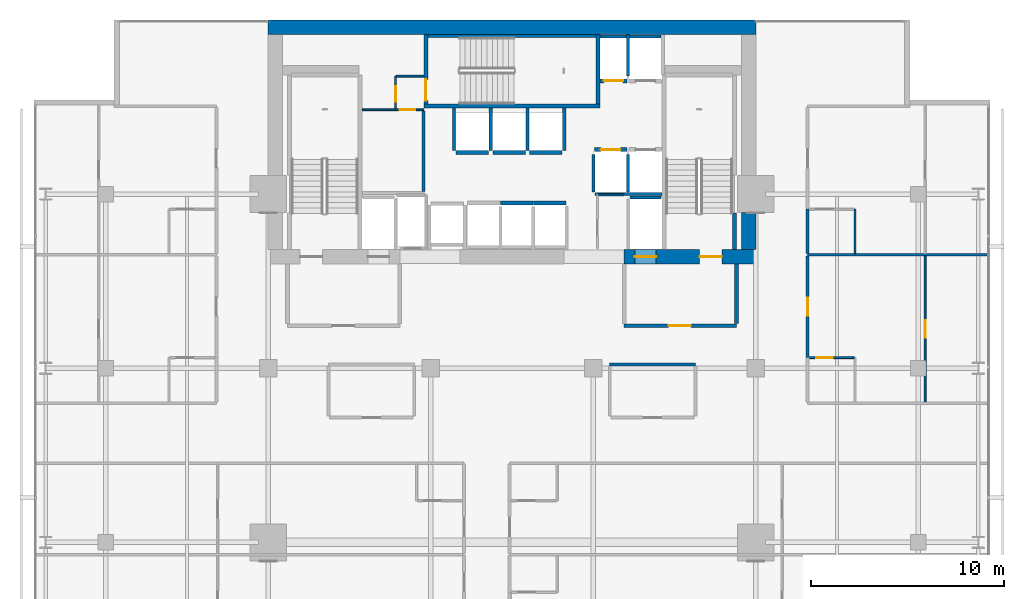
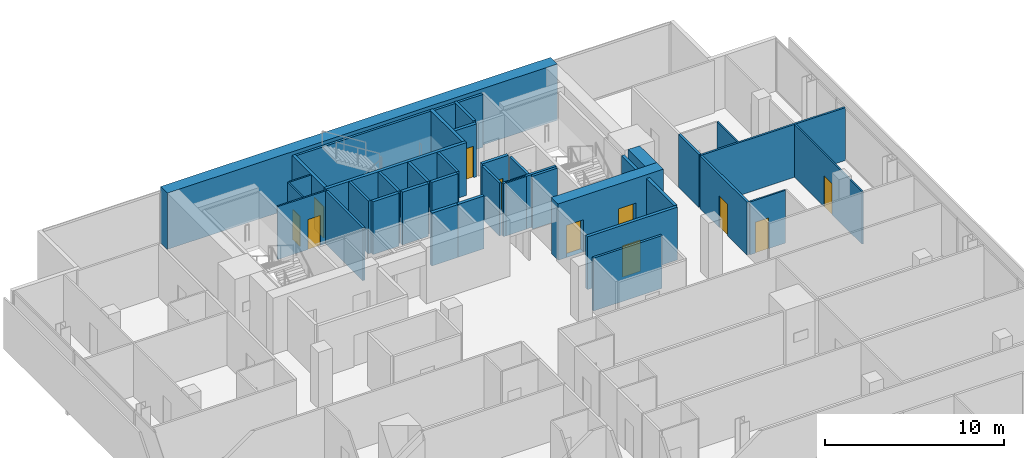
# One storey, part 30 of 33: 39 walls, 11 doors, 11 openings.
"""IFC4 building model written with IfcOpenShell, lengths in metres."""

from ifc_helpers import new_model, si_unit, direction, frame, frame_2d, origin, place, context, subcontext, project, spatial, rectangle, extrude, material, layer, layer_set, type_object, element, fill, save


model = new_model("IFC4")

# Units and contexts
model_context = context("Model", 3, precision=1e-05, world=origin(), true_north=direction((0.0, 1.0)))
body_context = subcontext(model_context, "Body", "Model", "MODEL_VIEW")
ifc_project = project(units=[si_unit("LENGTHUNIT", "METRE"), si_unit("AREAUNIT", "SQUARE_METRE"), si_unit("VOLUMEUNIT", "CUBIC_METRE"), si_unit("PLANEANGLEUNIT", "RADIAN"), si_unit("MASSUNIT", "GRAM", prefix="KILO")], contexts=[model_context])

# Site, building, storey
site_placement = place(None, origin())
site = spatial("IfcSite", under=ifc_project, at=site_placement, CompositionType="ELEMENT")
building_placement = place(site_placement, origin())
building = spatial("IfcBuilding", under=site, at=building_placement, Name="Maruvema Waterfront Hotel and Observation Tower", CompositionType="ELEMENT")
storey_placement = place(building_placement, frame((0.0, 0.0, 142.800048828125)))
storey = spatial("IfcBuildingStorey", under=building, at=storey_placement, Name="L34", CompositionType="ELEMENT", Elevation=142.800048828125)

# Walls
ifc_material_1 = material(Name="Twin-stud acoustic gypsum drywall", Category="gypsum")
ifc_layer_1 = layer(ifc_material_1, 0.14990234375, Name="Acoustic Corridor and Suite Demising Wall 150 mm")
ifc_layer_set_1 = layer_set([ifc_layer_1], Name="Twin-stud acoustic gypsum drywall")
wall_type_1 = type_object("IfcWallType", Name="Acoustic Corridor and Suite Demising Wall 150 mm", PredefinedType="PARTITIONING", material=ifc_layer_set_1)
wall_1_placement = place(storey_placement, frame((33.219970703125, 45.139892578125, 0.0), z_axis=(0.0, 0.0, 1.0), x_axis=(0.0, 1.0, 0.0)))
element("IfcWall", 1, at=wall_1_placement, inside=storey, type_object=wall_type_1, Name="L34 Freed B1 East Wall 013", PredefinedType="PARTITIONING", context=body_context, shape_type="SweptSolid", body=[
    extrude(rectangle(XDim=4.16015625, YDim=0.14990234375, at=frame_2d((2.080078125, 0.0))), origin(), (0.0, 0.0, 1.0), 3.60986328125),
])
wall_2_placement = place(storey_placement, frame((42.85009765625, 36.199951171875, 0.0), z_axis=(0.0, 0.0, 1.0), x_axis=(1.0, 0.0, 0.0)))
element("IfcWall", 2, at=wall_2_placement, inside=storey, type_object=wall_type_1, Name="L34 L34-M2 Back Wall 021", PredefinedType="PARTITIONING", context=body_context, shape_type="SweptSolid", body=[
    extrude(rectangle(XDim=4.429931640625, YDim=0.14990234375, at=frame_2d((2.21484375, 0.0))), origin(), (0.0, 0.0, 1.0), 3.60986328125),
])

# Wall, opening, door
wall_3_placement = place(storey_placement, frame((53.080078125, 36.550048828125, 0.0), z_axis=(0.0, 0.0, 1.0), x_axis=(0.0, 1.0, 0.0)))
wall_3 = element("IfcWall", 3, at=wall_3_placement, inside=storey, type_object=wall_type_1, Name="L34 Room L34-NE1 Corridor Wall 102", PredefinedType="PARTITIONING", context=body_context, shape_type="SweptSolid", body=[
    extrude(rectangle(XDim=5.2587890625, YDim=0.14990234375, at=frame_2d((2.62939453125, 0.0))), origin(), (0.0, 0.0, 1.0), 3.60986328125),
])
opening_1_placement = place(wall_3_placement, frame((2.154296875, 0.0, 0.0)))
opening_1 = element("IfcOpeningElement", 4, at=opening_1_placement, cuts=wall_3, Name="Opening DR-095", PredefinedType="OPENING", context=body_context, shape_type="SweptSolid", body=[
    extrude(rectangle(XDim=0.949951171875, YDim=2.14990234375, at=frame_2d((0.47509765625, 1.074951171875))), frame((0.0, 0.0849609375, 0.0), z_axis=(0.0, -1.0, 0.0), x_axis=(1.0, 0.0, 0.0)), (0.0, 0.0, 1.0), 0.169921875),
])
ifc_material_2 = material(Name="Acoustic solid-core hardwood timber leaf", Category="wood")
door_type_1 = type_object("IfcDoorType", Name="Guestroom Entrance Fire Door 950x2150 mm", OperationType="NOTDEFINED", PredefinedType="DOOR", material=ifc_material_2)
door_1_placement = place(opening_1_placement, frame((0.949951171875, 0.0, 0.0), z_axis=(0.0, 0.0, 1.0), x_axis=(-1.0, 0.0, 0.0)))
door_1 = element("IfcDoor", 5, at=door_1_placement, inside=storey, type_object=door_type_1, Name="L34 Room L34-NE1 Entrance Door", OperationType="SINGLE_SWING_RIGHT", OverallHeight=2.14990234375, OverallWidth=0.949951171875, PredefinedType="DOOR", context=body_context, shape_type="SweptSolid", body=[
    extrude(rectangle(XDim=0.949951171875, YDim=2.14990234375, at=frame_2d((0.47509765625, 1.074951171875))), frame((0.0, 0.02490234375, 0.0), z_axis=(0.0, -1.0, 0.0), x_axis=(1.0, 0.0, 0.0)), (0.0, 0.0, 1.0), 0.050048828125),
])
fill(opening_1, door_1)

# Walls
wall_4_placement = place(storey_placement, frame((53.080078125, 41.9287109375, 0.0), z_axis=(0.0, 0.0, 1.0), x_axis=(0.0, 1.0, 0.0)))
element("IfcWall", 6, at=wall_4_placement, inside=storey, type_object=wall_type_1, Name="L34 Bath L34-NE2 Wall 113", PredefinedType="PARTITIONING", context=body_context, shape_type="SweptSolid", body=[
    extrude(rectangle(XDim=2.2900390625, YDim=0.14990234375, at=frame_2d((1.14501953125, 0.0))), origin(), (0.0, 0.0, 1.0), 3.60986328125),
])
ifc_material_3 = material(Name="Precast concrete C45/55", Category="concrete")
ifc_layer_2 = layer(ifc_material_3, 0.14990234375, Name="Core Shaft Furring Wall 150 mm")
ifc_layer_set_2 = layer_set([ifc_layer_2], Name="Precast concrete C45/55")
wall_type_2 = type_object("IfcWallType", Name="Core Shaft Furring Wall 150 mm", PredefinedType="SOLIDWALL", material=ifc_layer_set_2)
wall_5_placement = place(storey_placement, frame((33.449951171875, 53.175048828125, 0.0), z_axis=(0.0, 0.0, 1.0), x_axis=(1.0, 0.0, 0.0)))
element("IfcWall", 7, at=wall_5_placement, inside=storey, type_object=wall_type_2, Name="L34 Stairwell ST-02 North Furring Wall", PredefinedType="SOLIDWALL", context=body_context, shape_type="SweptSolid", body=[
    extrude(rectangle(XDim=8.699951171875, YDim=0.14990234375, at=frame_2d((4.35009765625, 0.0))), origin(), (0.0, 0.0, 1.0), 3.60986328125),
])
ifc_material_4 = material(Name="Precast concrete C45/55", Category="concrete")
ifc_layer_3 = layer(ifc_material_4, 0.199951171875, Name="Core Shaft and Stairwell Enclosure Wall 200 mm")
ifc_layer_set_3 = layer_set([ifc_layer_3], Name="Precast concrete C45/55")
wall_type_3 = type_object("IfcWallType", Name="Core Shaft and Stairwell Enclosure Wall 200 mm", PredefinedType="SOLIDWALL", material=ifc_layer_set_3)
wall_6_placement = place(storey_placement, frame((33.25, 49.550048828125, 0.0), z_axis=(0.0, 0.0, 1.0), x_axis=(1.0, 0.0, 0.0)))
element("IfcWall", 8, at=wall_6_placement, inside=storey, type_object=wall_type_3, Name="L34 Stairwell ST-02 Shaft Wall", PredefinedType="SOLIDWALL", context=body_context, shape_type="SweptSolid", body=[
    extrude(rectangle(XDim=9.10009765625, YDim=0.199951171875, at=frame_2d((4.550048828125, 0.0))), origin(), (0.0, 0.0, 1.0), 3.60986328125),
])
wall_7_placement = place(storey_placement, frame((42.25, 49.64990234375, 0.0), z_axis=(0.0, 0.0, 1.0), x_axis=(0.0, 1.0, 0.0)))
element("IfcWall", 9, at=wall_7_placement, inside=storey, type_object=wall_type_3, Name="L34 Stairwell ST-02 Shaft Wall", PredefinedType="SOLIDWALL", context=body_context, shape_type="SweptSolid", body=[
    extrude(rectangle(XDim=3.60009765625, YDim=0.199951171875, at=frame_2d((1.800048828125, 0.0))), origin(), (0.0, 0.0, 1.0), 3.60986328125),
])

# Wall, opening, door
wall_8_placement = place(storey_placement, frame((33.35009765625, 49.64990234375, 0.0), z_axis=(0.0, 0.0, 1.0), x_axis=(0.0, 1.0, 0.0)))
wall_8 = element("IfcWall", 10, at=wall_8_placement, inside=storey, type_object=wall_type_3, Name="L34 Stairwell ST-02 Shaft Wall", PredefinedType="SOLIDWALL", context=body_context, shape_type="SweptSolid", body=[
    extrude(rectangle(XDim=3.60009765625, YDim=0.199951171875, at=frame_2d((1.800048828125, 0.0))), origin(), (0.0, 0.0, 1.0), 3.60986328125),
])
opening_2_placement = place(wall_8_placement, frame((0.179931640625, 0.0, 0.0)))
opening_2 = element("IfcOpeningElement", 11, at=opening_2_placement, cuts=wall_8, Name="Opening SD-02", PredefinedType="OPENING", context=body_context, shape_type="SweptSolid", body=[
    extrude(rectangle(XDim=1.10009765625, YDim=2.14990234375, at=frame_2d((0.550048828125, 1.074951171875))), frame((0.0, 0.10986328125, 0.0), z_axis=(0.0, -1.0, 0.0), x_axis=(1.0, 0.0, 0.0)), (0.0, 0.0, 1.0), 0.219970703125),
])
ifc_material_5 = material(Name="Fire-rated galvanised steel leaf", Category="steel")
door_type_2 = type_object("IfcDoorType", Name="Central Exit Stair Fire Door 1100x2150 mm", OperationType="NOTDEFINED", PredefinedType="DOOR", material=ifc_material_5)
door_2_placement = place(opening_2_placement, frame((1.10009765625, 0.0, 0.0), z_axis=(0.0, 0.0, 1.0), x_axis=(-1.0, 0.0, 0.0)))
door_2 = element("IfcDoor", 12, at=door_2_placement, inside=storey, type_object=door_type_2, Name="L34 Exit Stair ST-02 Fire Door", OperationType="SINGLE_SWING_LEFT", OverallHeight=2.14990234375, OverallWidth=1.10009765625, PredefinedType="DOOR", context=body_context, shape_type="SweptSolid", body=[
    extrude(rectangle(XDim=1.10009765625, YDim=2.14990234375, at=frame_2d((0.550048828125, 1.074951171875))), frame((0.0, 0.02490234375, 0.0), z_axis=(0.0, -1.0, 0.0), x_axis=(1.0, 0.0, 0.0)), (0.0, 0.0, 1.0), 0.050048828125),
])
fill(opening_2, door_2)

# Wall
wall_9_placement = place(storey_placement, frame((49.300048828125, 42.14990234375, 0.0), z_axis=(0.0, 0.0, 1.0), x_axis=(0.0, 1.0, 0.0)))
element("IfcWall", 13, at=wall_9_placement, inside=storey, type_object=wall_type_3, Name="L34 Stairwell ST-03 Shaft Lining Wall", PredefinedType="SOLIDWALL", context=body_context, shape_type="SweptSolid", body=[
    extrude(rectangle(XDim=1.8701171875, YDim=0.199951171875, at=frame_2d((0.93505859375, 0.0))), origin(), (0.0, 0.0, 1.0), 3.60986328125),
])

# Wall, opening, door
wall_10_placement = place(storey_placement, frame((42.06005859375, 47.300048828125, 0.0), z_axis=(0.0, 0.0, 1.0), x_axis=(1.0, 0.0, 0.0)))
wall_10 = element("IfcWall", 14, at=wall_10_placement, inside=storey, type_object=wall_type_3, Name="L34 Lift LF-05 Hoistway Front Wall", PredefinedType="SOLIDWALL", context=body_context, shape_type="SweptSolid", body=[
    extrude(rectangle(XDim=1.679931640625, YDim=0.199951171875, at=frame_2d((0.83984375, 0.0))), origin(), (0.0, 0.0, 1.0), 3.60986328125),
])
opening_3_placement = place(wall_10_placement, frame((0.340087890625, 0.0, 0.0)))
opening_3 = element("IfcOpeningElement", 15, at=opening_3_placement, cuts=wall_10, Name="Opening LD-01", PredefinedType="OPENING", context=body_context, shape_type="SweptSolid", body=[
    extrude(rectangle(XDim=1.0, YDim=2.14990234375, at=frame_2d((0.5, 1.074951171875))), frame((0.0, 0.10986328125, 0.0), z_axis=(0.0, -1.0, 0.0), x_axis=(1.0, 0.0, 0.0)), (0.0, 0.0, 1.0), 0.219970703125),
])
ifc_material_6 = material(Name="Brushed stainless steel Grade 316", Category="steel")
door_type_3 = type_object("IfcDoorType", Name="Passenger Lift Sliding Landing Door 1000x2150 mm", OperationType="SLIDING_TO_LEFT", PredefinedType="DOOR", material=ifc_material_6)
door_3_placement = place(opening_3_placement, origin())
door_3 = element("IfcDoor", 16, at=door_3_placement, inside=storey, type_object=door_type_3, Name="L34 Lift LF-05 Sliding Landing Door", OperationType="SLIDING_TO_LEFT", OverallHeight=2.14990234375, OverallWidth=1.0, PredefinedType="DOOR", context=body_context, shape_type="SweptSolid", body=[
    extrude(rectangle(XDim=1.0, YDim=2.14990234375, at=frame_2d((0.5, 1.074951171875))), frame((0.0, 0.02490234375, 0.0), z_axis=(0.0, -1.0, 0.0), x_axis=(1.0, 0.0, 0.0)), (0.0, 0.0, 1.0), 0.050048828125),
])
fill(opening_3, door_3)

wall_11_placement = place(storey_placement, frame((42.360107421875, 50.85009765625, 0.0), z_axis=(0.0, 0.0, 1.0), x_axis=(1.0, 0.0, 0.0)))
wall_11 = element("IfcWall", 17, at=wall_11_placement, inside=storey, type_object=wall_type_3, Name="L34 Lift LF-07 Hoistway Front Wall", PredefinedType="SOLIDWALL", context=body_context, shape_type="SweptSolid", body=[
    extrude(rectangle(XDim=1.3798828125, YDim=0.199951171875, at=frame_2d((0.68994140625, 0.0))), origin(), (0.0, 0.0, 1.0), 3.60986328125),
])
opening_4_placement = place(wall_11_placement, frame((0.18994140625, 0.0, 0.0)))
opening_4 = element("IfcOpeningElement", 18, at=opening_4_placement, cuts=wall_11, Name="Opening LD-01", PredefinedType="OPENING", context=body_context, shape_type="SweptSolid", body=[
    extrude(rectangle(XDim=1.0, YDim=2.14990234375, at=frame_2d((0.5, 1.074951171875))), frame((0.0, 0.10986328125, 0.0), z_axis=(0.0, -1.0, 0.0), x_axis=(1.0, 0.0, 0.0)), (0.0, 0.0, 1.0), 0.219970703125),
])
door_4_placement = place(opening_4_placement, frame((1.0, 0.0, 0.0), z_axis=(0.0, 0.0, 1.0), x_axis=(-1.0, 0.0, 0.0)))
door_4 = element("IfcDoor", 19, at=door_4_placement, inside=storey, type_object=door_type_3, Name="L34 Lift LF-07 Sliding Landing Door", OperationType="SLIDING_TO_LEFT", OverallHeight=2.14990234375, OverallWidth=1.0, PredefinedType="DOOR", context=body_context, shape_type="SweptSolid", body=[
    extrude(rectangle(XDim=1.0, YDim=2.14990234375, at=frame_2d((0.5, 1.074951171875))), frame((0.0, 0.02490234375, 0.0), z_axis=(0.0, -1.0, 0.0), x_axis=(1.0, 0.0, 0.0)), (0.0, 0.0, 1.0), 0.050048828125),
])
fill(opening_4, door_4)

# Walls
wall_12_placement = place(storey_placement, frame((37.2099609375, 44.550048828125, 0.0), z_axis=(0.0, 0.0, 1.0), x_axis=(1.0, 0.0, 0.0)))
element("IfcWall", 20, at=wall_12_placement, inside=storey, type_object=wall_type_3, Name="L34 Lift LF-10 Hoistway Front Wall", PredefinedType="SOLIDWALL", context=body_context, shape_type="SweptSolid", body=[
    extrude(rectangle(XDim=1.679931640625, YDim=0.199951171875, at=frame_2d((0.83984375, 0.0))), origin(), (0.0, 0.0, 1.0), 3.60986328125),
])
for number, where, z_axis, x_axis, name in (
    (21, (38.909912109375, 44.550048828125, 0.0), (0.0, 0.0, 1.0), (1.0, 0.0, 0.0), "L34 Lift LF-11 Hoistway Front Wall"),
    (22, (34.909912109375, 47.14990234375, 0.0), (0.0, 0.0, 1.0), (1.0, 0.0, 0.0), "L34 Lift LF-12 Hoistway Front Wall"),
):
    element("IfcWall", number, at=place(storey_placement, frame(where, z_axis=z_axis, x_axis=x_axis)), inside=storey, type_object=wall_type_3, Name=name, PredefinedType="SOLIDWALL", context=body_context, shape_type="SweptSolid", body=[
        extrude(rectangle(XDim=1.68017578125, YDim=0.199951171875, at=frame_2d((0.840087890625, 0.0))), origin(), (0.0, 0.0, 1.0), 3.60986328125),
    ])
for number, where, z_axis, x_axis, name in (
    (23, (36.81005859375, 47.14990234375, 0.0), (0.0, 0.0, 1.0), (1.0, 0.0, 0.0), "L34 Lift LF-13 Hoistway Front Wall"),
    (24, (38.7099609375, 47.14990234375, 0.0), (0.0, 0.0, 1.0), (1.0, 0.0, 0.0), "L34 Lift LF-14 Hoistway Front Wall"),
):
    element("IfcWall", number, at=place(storey_placement, frame(where, z_axis=z_axis, x_axis=x_axis)), inside=storey, type_object=wall_type_3, Name=name, PredefinedType="SOLIDWALL", context=body_context, shape_type="SweptSolid", body=[
        extrude(rectangle(XDim=1.679931640625, YDim=0.199951171875, at=frame_2d((0.83984375, 0.0))), origin(), (0.0, 0.0, 1.0), 3.60986328125),
    ])
ifc_material_7 = material(Name="Concrete C70/85", Category="concrete")
ifc_layer_4 = layer(ifc_material_7, 0.75, Name="Core Shear Wall 750 mm")
ifc_layer_set_4 = layer_set([ifc_layer_4], Name="Concrete C70/85")
wall_type_4 = type_object("IfcWallType", Name="Core Shear Wall 750 mm", PredefinedType="SHEAR", material=ifc_layer_set_4)
wall_13_placement = place(storey_placement, frame((25.199951171875, 53.625, 0.0), z_axis=(0.0, 0.0, 1.0), x_axis=(1.0, 0.0, 0.0)))
element("IfcWall", 25, at=wall_13_placement, inside=storey, type_object=wall_type_4, Name="L34 North Core Shear Wall", PredefinedType="SHEAR", context=body_context, shape_type="SweptSolid", body=[
    extrude(rectangle(XDim=25.199951171875, YDim=0.75, at=frame_2d((12.60009765625, 0.0))), origin(), (0.0, 0.0, 1.0), 3.849853515625),
])

# Wall, openings, doors
wall_14_placement = place(storey_placement, frame((43.60009765625, 41.77490234375, 0.0), z_axis=(0.0, 0.0, 1.0), x_axis=(1.0, 0.0, 0.0)))
wall_14 = element("IfcWall", 26, at=wall_14_placement, inside=storey, type_object=wall_type_4, Name="L34 South-East Core Shear Wall", PredefinedType="SHEAR", context=body_context, shape_type="SweptSolid", body=[
    extrude(rectangle(XDim=6.7998046875, YDim=0.75, at=frame_2d((3.39990234375, 0.0))), origin(), (0.0, 0.0, 1.0), 3.849853515625),
])
opening_5_placement = place(wall_14_placement, frame((3.89990234375, 0.0, 0.0)))
opening_5 = element("IfcOpeningElement", 27, at=opening_5_placement, cuts=wall_14, Name="Opening SD-01", PredefinedType="OPENING", context=body_context, shape_type="SweptSolid", body=[
    extrude(rectangle(XDim=1.14990234375, YDim=2.14990234375, at=frame_2d((0.574951171875, 1.074951171875))), frame((0.0, 0.385009765625, 0.0), z_axis=(0.0, -1.0, 0.0), x_axis=(1.0, 0.0, 0.0)), (0.0, 0.0, 1.0), 0.77001953125),
])
opening_6_placement = place(wall_14_placement, frame((0.550048828125, 0.0, 0.0)))
opening_6 = element("IfcOpeningElement", 28, at=opening_6_placement, cuts=wall_14, Name="Opening LD-03", PredefinedType="OPENING", context=body_context, shape_type="SweptSolid", body=[
    extrude(rectangle(XDim=1.10009765625, YDim=2.199951171875, at=frame_2d((0.550048828125, 1.10009765625))), frame((0.0, 0.385009765625, 0.0), z_axis=(0.0, -1.0, 0.0), x_axis=(1.0, 0.0, 0.0)), (0.0, 0.0, 1.0), 0.77001953125),
])
ifc_material_8 = material(Name="Fire-rated galvanised steel leaf", Category="steel")
door_type_4 = type_object("IfcDoorType", Name="Exit Stair Fire Door 1150x2150 mm", OperationType="NOTDEFINED", PredefinedType="DOOR", material=ifc_material_8)
door_5_placement = place(opening_5_placement, origin())
door_5 = element("IfcDoor", 29, at=door_5_placement, inside=storey, type_object=door_type_4, Name="L34 Exit Stair ST-03 Fire Door", OperationType="SINGLE_SWING_RIGHT", OverallHeight=2.14990234375, OverallWidth=1.14990234375, PredefinedType="DOOR", context=body_context, shape_type="SweptSolid", body=[
    extrude(rectangle(XDim=1.14990234375, YDim=2.14990234375, at=frame_2d((0.574951171875, 1.074951171875))), frame((0.0, 0.02490234375, 0.0), z_axis=(0.0, -1.0, 0.0), x_axis=(1.0, 0.0, 0.0)), (0.0, 0.0, 1.0), 0.050048828125),
])
fill(opening_5, door_5)
ifc_material_9 = material(Name="Brushed stainless steel Grade 316", Category="steel")
door_type_5 = type_object("IfcDoorType", Name="Firefighting Lift Sliding Landing Door 1100x2200 mm", OperationType="SLIDING_TO_LEFT", PredefinedType="DOOR", material=ifc_material_9)
door_6_placement = place(opening_6_placement, frame((1.10009765625, 0.0, 0.0), z_axis=(0.0, 0.0, 1.0), x_axis=(-1.0, 0.0, 0.0)))
door_6 = element("IfcDoor", 30, at=door_6_placement, inside=storey, type_object=door_type_5, Name="L34 Firefighting Lift FL-02 Landing Door", OperationType="SLIDING_TO_LEFT", OverallHeight=2.199951171875, OverallWidth=1.10009765625, PredefinedType="DOOR", context=body_context, shape_type="SweptSolid", body=[
    extrude(rectangle(XDim=1.10009765625, YDim=2.199951171875, at=frame_2d((0.550048828125, 1.10009765625))), frame((0.0, 0.02490234375, 0.0), z_axis=(0.0, -1.0, 0.0), x_axis=(1.0, 0.0, 0.0)), (0.0, 0.0, 1.0), 0.050048828125),
])
fill(opening_6, door_6)

# Walls
wall_15_placement = place(storey_placement, frame((50.02490234375, 42.14990234375, 0.0), z_axis=(0.0, 0.0, 1.0), x_axis=(0.0, 1.0, 0.0)))
element("IfcWall", 31, at=wall_15_placement, inside=storey, type_object=wall_type_4, Name="L34 East-South Core Shear Wall", PredefinedType="SHEAR", context=body_context, shape_type="SweptSolid", body=[
    extrude(rectangle(XDim=1.900146484375, YDim=0.75, at=frame_2d((0.9501953125, 0.0))), origin(), (0.0, 0.0, 1.0), 3.849853515625),
])
ifc_material_10 = material(Name="Moisture-resistant cement-board drywall", Category="gypsum")
ifc_layer_5 = layer(ifc_material_10, 0.10009765625, Name="En-Suite Moisture-Resistant Partition 100 mm")
ifc_layer_set_5 = layer_set([ifc_layer_5], Name="Moisture-resistant cement-board drywall")
wall_type_5 = type_object("IfcWallType", Name="En-Suite Moisture-Resistant Partition 100 mm", PredefinedType="PARTITIONING", material=ifc_layer_set_5)
wall_16_placement = place(storey_placement, frame((42.280029296875, 44.9599609375, 0.0), z_axis=(0.0, 0.0, 1.0), x_axis=(1.0, 0.0, 0.0)))
element("IfcWall", 32, at=wall_16_placement, inside=storey, type_object=wall_type_5, Name="L34 Core Closet K1 North 011", PredefinedType="PARTITIONING", context=body_context, shape_type="SweptSolid", body=[
    extrude(rectangle(XDim=1.300048828125, YDim=0.10009765625, at=frame_2d((0.64990234375, 0.0))), origin(), (0.0, 0.0, 1.0), 3.60986328125),
])

# Wall, opening, door
wall_17_placement = place(storey_placement, frame((30.06005859375, 49.360107421875, 0.0), z_axis=(0.0, 0.0, 1.0), x_axis=(1.0, 0.0, 0.0)))
wall_17 = element("IfcWall", 33, at=wall_17_placement, inside=storey, type_object=wall_type_5, Name="L34 Freed B1 Mid Wall 014", PredefinedType="PARTITIONING", context=body_context, shape_type="SweptSolid", body=[
    extrude(rectangle(XDim=3.179931640625, YDim=0.10009765625, at=frame_2d((1.58984375, 0.0))), origin(), (0.0, 0.0, 1.0), 3.60986328125),
])
opening_7_placement = place(wall_17_placement, frame((1.949951171875, 0.0, 0.0)))
opening_7 = element("IfcOpeningElement", 34, at=opening_7_placement, cuts=wall_17, Name="Opening DR-080", PredefinedType="OPENING", context=body_context, shape_type="SweptSolid", body=[
    extrude(rectangle(XDim=0.800048828125, YDim=2.050048828125, at=frame_2d((0.39990234375, 1.02490234375))), frame((0.0, 0.06005859375, 0.0), z_axis=(0.0, -1.0, 0.0), x_axis=(1.0, 0.0, 0.0)), (0.0, 0.0, 1.0), 0.1201171875),
])
ifc_material_11 = material(Name="Powder-coated steel access leaf", Category="steel")
door_type_6 = type_object("IfcDoorType", Name="Riser and Service Cupboard Door 800x2050 mm", OperationType="NOTDEFINED", PredefinedType="DOOR", material=ifc_material_11)
door_7_placement = place(opening_7_placement, origin())
door_7 = element("IfcDoor", 35, at=door_7_placement, inside=storey, type_object=door_type_6, Name="L34 Housekeeping and Linen Room Door", OperationType="SINGLE_SWING_RIGHT", OverallHeight=2.050048828125, OverallWidth=0.800048828125, PredefinedType="DOOR", context=body_context, shape_type="SweptSolid", body=[
    extrude(rectangle(XDim=0.800048828125, YDim=2.050048828125, at=frame_2d((0.39990234375, 1.02490234375))), frame((0.0, 0.02490234375, 0.0), z_axis=(0.0, -1.0, 0.0), x_axis=(1.0, 0.0, 0.0)), (0.0, 0.0, 1.0), 0.050048828125),
])
fill(opening_7, door_7)

wall_18_placement = place(storey_placement, frame((31.780029296875, 49.419921875, 0.0), z_axis=(0.0, 0.0, 1.0), x_axis=(0.0, 1.0, 0.0)))
wall_18 = element("IfcWall", 36, at=wall_18_placement, inside=storey, type_object=wall_type_5, Name="L34 Freed B1 NW East Wall 015", PredefinedType="PARTITIONING", context=body_context, shape_type="SweptSolid", body=[
    extrude(rectangle(XDim=1.68017578125, YDim=0.10009765625, at=frame_2d((0.840087890625, 0.0))), origin(), (0.0, 0.0, 1.0), 3.60986328125),
])
opening_8_placement = place(wall_18_placement, frame((0.35009765625, 0.0, 0.0)))
opening_8 = element("IfcOpeningElement", 37, at=opening_8_placement, cuts=wall_18, Name="Opening DR-080", PredefinedType="OPENING", context=body_context, shape_type="SweptSolid", body=[
    extrude(rectangle(XDim=0.800048828125, YDim=2.050048828125, at=frame_2d((0.39990234375, 1.02490234375))), frame((0.0, 0.06005859375, 0.0), z_axis=(0.0, -1.0, 0.0), x_axis=(1.0, 0.0, 0.0)), (0.0, 0.0, 1.0), 0.1201171875),
])
door_8_placement = place(opening_8_placement, origin())
door_8 = element("IfcDoor", 38, at=door_8_placement, inside=storey, type_object=door_type_6, Name="L34 Guest Floor Pantry Door", OperationType="SINGLE_SWING_LEFT", OverallHeight=2.050048828125, OverallWidth=0.800048828125, PredefinedType="DOOR", context=body_context, shape_type="SweptSolid", body=[
    extrude(rectangle(XDim=0.800048828125, YDim=2.050048828125, at=frame_2d((0.39990234375, 1.02490234375))), frame((0.0, 0.02490234375, 0.0), z_axis=(0.0, -1.0, 0.0), x_axis=(1.0, 0.0, 0.0)), (0.0, 0.0, 1.0), 0.050048828125),
])
fill(opening_8, door_8)

# Wall
wall_19_placement = place(storey_placement, frame((31.820068359375, 51.10009765625, 0.0), z_axis=(0.0, 0.0, 1.0), x_axis=(1.0, 0.0, 0.0)))
element("IfcWall", 39, at=wall_19_placement, inside=storey, type_object=wall_type_5, Name="L34 Freed B1 Vestibule North Wall 016", PredefinedType="PARTITIONING", context=body_context, shape_type="SweptSolid", body=[
    extrude(rectangle(XDim=1.419921875, YDim=0.10009765625, at=frame_2d((0.7099609375, 0.0))), origin(), (0.0, 0.0, 1.0), 3.60986328125),
])

# Wall, opening, door
wall_20_placement = place(storey_placement, frame((53.179931640625, 36.550048828125, 0.0), z_axis=(0.0, 0.0, 1.0), x_axis=(1.0, 0.0, 0.0)))
wall_20 = element("IfcWall", 40, at=wall_20_placement, inside=storey, type_object=wall_type_5, Name="L34 En-Suite L34-NE1 N 104", PredefinedType="PARTITIONING", context=body_context, shape_type="SweptSolid", body=[
    extrude(rectangle(XDim=2.300048828125, YDim=0.10009765625, at=frame_2d((1.14990234375, 0.0))), origin(), (0.0, 0.0, 1.0), 3.60986328125),
])
opening_9_placement = place(wall_20_placement, frame((0.35009765625, 0.0, 0.0)))
opening_9 = element("IfcOpeningElement", 41, at=opening_9_placement, cuts=wall_20, Name="Opening DR-085", PredefinedType="OPENING", context=body_context, shape_type="SweptSolid", body=[
    extrude(rectangle(XDim=0.85009765625, YDim=2.10009765625, at=frame_2d((0.425048828125, 1.050048828125))), frame((0.0, 0.06005859375, 0.0), z_axis=(0.0, -1.0, 0.0), x_axis=(1.0, 0.0, 0.0)), (0.0, 0.0, 1.0), 0.1201171875),
])
ifc_material_12 = material(Name="Moisture-resistant solid timber leaf", Category="wood")
door_type_7 = type_object("IfcDoorType", Name="En-Suite Bathroom Door 850x2100 mm", OperationType="NOTDEFINED", PredefinedType="DOOR", material=ifc_material_12)
door_9_placement = place(opening_9_placement, origin())
door_9 = element("IfcDoor", 42, at=door_9_placement, inside=storey, type_object=door_type_7, Name="L34 En-Suite L34-NE1 Door", OperationType="SINGLE_SWING_LEFT", OverallHeight=2.10009765625, OverallWidth=0.85009765625, PredefinedType="DOOR", context=body_context, shape_type="SweptSolid", body=[
    extrude(rectangle(XDim=0.85009765625, YDim=2.10009765625, at=frame_2d((0.425048828125, 1.050048828125))), frame((0.0, 0.02490234375, 0.0), z_axis=(0.0, -1.0, 0.0), x_axis=(1.0, 0.0, 0.0)), (0.0, 0.0, 1.0), 0.050048828125),
])
fill(opening_9, door_9)

wall_21_placement = place(storey_placement, frame((59.154296875, 34.260009765625, 0.0), z_axis=(0.0, 0.0, 1.0), x_axis=(0.0, 1.0, 0.0)))
wall_21 = element("IfcWall", 43, at=wall_21_placement, inside=storey, type_object=wall_type_5, Name="L34 Suite L34-NE1 Split 105", PredefinedType="PARTITIONING", context=body_context, shape_type="SweptSolid", body=[
    extrude(rectangle(XDim=7.548828125, YDim=0.10009765625, at=frame_2d((3.7744140625, 0.0))), origin(), (0.0, 0.0, 1.0), 3.60986328125),
])
opening_10_placement = place(wall_21_placement, frame((3.324462890625, 0.0, 0.0)))
opening_10 = element("IfcOpeningElement", 44, at=opening_10_placement, cuts=wall_21, Name="Opening DR-090", PredefinedType="OPENING", context=body_context, shape_type="SweptSolid", body=[
    extrude(rectangle(XDim=0.89990234375, YDim=2.10009765625, at=frame_2d((0.449951171875, 1.050048828125))), frame((0.0, 0.06005859375, 0.0), z_axis=(0.0, -1.0, 0.0), x_axis=(1.0, 0.0, 0.0)), (0.0, 0.0, 1.0), 0.1201171875),
])
ifc_material_13 = material(Name="Solid-core lacquered timber leaf", Category="wood")
door_type_8 = type_object("IfcDoorType", Name="Accessible Toilet and Room Door 900x2100 mm", OperationType="NOTDEFINED", PredefinedType="DOOR", material=ifc_material_13)
door_10_placement = place(opening_10_placement, frame((0.89990234375, 0.0, 0.0), z_axis=(0.0, 0.0, 1.0), x_axis=(-1.0, 0.0, 0.0)))
door_10 = element("IfcDoor", 45, at=door_10_placement, inside=storey, type_object=door_type_8, Name="L34 Suite L34-NE1 Bedroom Door", OperationType="SINGLE_SWING_LEFT", OverallHeight=2.10009765625, OverallWidth=0.89990234375, PredefinedType="DOOR", context=body_context, shape_type="SweptSolid", body=[
    extrude(rectangle(XDim=0.89990234375, YDim=2.10009765625, at=frame_2d((0.449951171875, 1.050048828125))), frame((0.0, 0.02490234375, 0.0), z_axis=(0.0, -1.0, 0.0), x_axis=(1.0, 0.0, 0.0)), (0.0, 0.0, 1.0), 0.050048828125),
])
fill(opening_10, door_10)

# Wall
wall_22_placement = place(storey_placement, frame((55.530029296875, 41.9287109375, 0.0), z_axis=(0.0, 0.0, 1.0), x_axis=(0.0, 1.0, 0.0)))
element("IfcWall", 46, at=wall_22_placement, inside=storey, type_object=wall_type_5, Name="L34 En-Suite L34-NE2 E 115", PredefinedType="PARTITIONING", context=body_context, shape_type="SweptSolid", body=[
    extrude(rectangle(XDim=2.2900390625, YDim=0.10009765625, at=frame_2d((1.14501953125, 0.0))), origin(), (0.0, 0.0, 1.0), 3.60986328125),
])

# Wall, opening, door
ifc_material_14 = material(Name="Autoclaved cellular concrete blockwork", Category="masonry")
ifc_layer_6 = layer(ifc_material_14, 0.199951171875, Name="Fire Compartment Masonry Wall 200 mm")
ifc_layer_set_6 = layer_set([ifc_layer_6], Name="Autoclaved cellular concrete blockwork")
wall_type_6 = type_object("IfcWallType", Name="Fire Compartment Masonry Wall 200 mm", PredefinedType="PARTITIONING", material=ifc_layer_set_6)
wall_23_placement = place(storey_placement, frame((43.60009765625, 38.199951171875, 0.0), z_axis=(0.0, 0.0, 1.0), x_axis=(1.0, 0.0, 0.0)))
wall_23 = element("IfcWall", 47, at=wall_23_placement, inside=storey, type_object=wall_type_6, Name="L34 FFL East South Wall 004", PredefinedType="PARTITIONING", context=body_context, shape_type="SweptSolid", body=[
    extrude(rectangle(XDim=5.7998046875, YDim=0.199951171875, at=frame_2d((2.89990234375, 0.0))), origin(), (0.0, 0.0, 1.0), 3.60986328125),
])
opening_11_placement = place(wall_23_placement, frame((2.300048828125, 0.0, 0.0)))
opening_11 = element("IfcOpeningElement", 48, at=opening_11_placement, cuts=wall_23, Name="Opening FD-115", PredefinedType="OPENING", context=body_context, shape_type="SweptSolid", body=[
    extrude(rectangle(XDim=1.14990234375, YDim=2.14990234375, at=frame_2d((0.574951171875, 1.074951171875))), frame((0.0, 0.10986328125, 0.0), z_axis=(0.0, -1.0, 0.0), x_axis=(1.0, 0.0, 0.0)), (0.0, 0.0, 1.0), 0.219970703125),
])
ifc_material_15 = material(Name="Fire-rated galvanised steel and vision glass", Category="steel")
door_type_9 = type_object("IfcDoorType", Name="Firefighting Lobby Fire Door 1150x2150 mm", OperationType="NOTDEFINED", PredefinedType="DOOR", material=ifc_material_15)
door_11_placement = place(opening_11_placement, frame((1.14990234375, 0.0, 0.0), z_axis=(0.0, 0.0, 1.0), x_axis=(-1.0, 0.0, 0.0)))
door_11 = element("IfcDoor", 49, at=door_11_placement, inside=storey, type_object=door_type_9, Name="L34 Firefighting Lobby East Door", OperationType="SINGLE_SWING_LEFT", OverallHeight=2.14990234375, OverallWidth=1.14990234375, PredefinedType="DOOR", context=body_context, shape_type="SweptSolid", body=[
    extrude(rectangle(XDim=1.14990234375, YDim=2.14990234375, at=frame_2d((0.574951171875, 1.074951171875))), frame((0.0, 0.02490234375, 0.0), z_axis=(0.0, -1.0, 0.0), x_axis=(1.0, 0.0, 0.0)), (0.0, 0.0, 1.0), 0.050048828125),
])
fill(opening_11, door_11)

# Walls
wall_24_placement = place(storey_placement, frame((49.39990234375, 38.31005859375, 0.0), z_axis=(0.0, 0.0, 1.0), x_axis=(0.0, 1.0, 0.0)))
element("IfcWall", 50, at=wall_24_placement, inside=storey, type_object=wall_type_6, Name="L34 FFL East East Wall 006", PredefinedType="PARTITIONING", context=body_context, shape_type="SweptSolid", body=[
    extrude(rectangle(XDim=3.06982421875, YDim=0.199951171875, at=frame_2d((1.534912109375, 0.0))), origin(), (0.0, 0.0, 1.0), 3.60986328125),
])
ifc_material_16 = material(Name="Acoustic gypsum plasterboard drywall", Category="gypsum")
ifc_layer_7 = layer(ifc_material_16, 0.125, Name="Guestroom Acoustic Demising Wall 125 mm")
ifc_layer_set_7 = layer_set([ifc_layer_7], Name="Acoustic gypsum plasterboard drywall")
wall_type_7 = type_object("IfcWallType", Name="Guestroom Acoustic Demising Wall 125 mm", PredefinedType="PARTITIONING", material=ifc_layer_set_7)
wall_25_placement = place(storey_placement, frame((53.080078125, 41.868896484375, 0.0), z_axis=(0.0, 0.0, 1.0), x_axis=(1.0, 0.0, 0.0)))
element("IfcWall", 51, at=wall_25_placement, inside=storey, type_object=wall_type_7, Name="L34 Z2 NE Demising 2 107", PredefinedType="PARTITIONING", context=body_context, shape_type="SweptSolid", body=[
    extrude(rectangle(XDim=9.31982421875, YDim=0.125, at=frame_2d((4.659912109375, 0.0))), origin(), (0.0, 0.0, 1.0), 3.60986328125),
])
ifc_material_17 = material(Name="Precast concrete C45/55", Category="concrete")
ifc_layer_8 = layer(ifc_material_17, 0.159912109375, Name="Lift Hoistway Divider Wall 160 mm")
ifc_layer_set_8 = layer_set([ifc_layer_8], Name="Precast concrete C45/55")
wall_type_8 = type_object("IfcWallType", Name="Lift Hoistway Divider Wall 160 mm", PredefinedType="SOLIDWALL", material=ifc_layer_set_8)
wall_26_placement = place(storey_placement, frame((43.89990234375, 44.830078125, 0.0), z_axis=(0.0, 0.0, 1.0), x_axis=(1.0, 0.0, 0.0)))
element("IfcWall", 52, at=wall_26_placement, inside=storey, type_object=wall_type_8, Name="L34 Lift FL-02 Rear Hoistway Wall", PredefinedType="SOLIDWALL", context=body_context, shape_type="SweptSolid", body=[
    extrude(rectangle(XDim=1.60009765625, YDim=0.159912109375, at=frame_2d((0.800048828125, 0.0))), origin(), (0.0, 0.0, 1.0), 3.60986328125),
])
for number, where, z_axis, x_axis, name in (
    (53, (42.02001953125, 45.10009765625, 0.0), (0.0, 0.0, 1.0), (0.0, 1.0, 0.0), "L34 Hoistway Divider Wall"),
    (54, (43.800048828125, 45.10009765625, 0.0), (0.0, 0.0, 1.0), (0.0, 1.0, 0.0), "L34 Hoistway Divider Wall"),
):
    element("IfcWall", number, at=place(storey_placement, frame(where, z_axis=z_axis, x_axis=x_axis)), inside=storey, type_object=wall_type_8, Name=name, PredefinedType="SOLIDWALL", context=body_context, shape_type="SweptSolid", body=[
        extrude(rectangle(XDim=1.949951171875, YDim=0.159912109375, at=frame_2d((0.97509765625, 0.0))), origin(), (0.0, 0.0, 1.0), 3.60986328125),
    ])
wall_27_placement = place(storey_placement, frame((42.10009765625, 45.010009765625, 0.0), z_axis=(0.0, 0.0, 1.0), x_axis=(1.0, 0.0, 0.0)))
element("IfcWall", 55, at=wall_27_placement, inside=storey, type_object=wall_type_8, Name="L34 Hoistway Divider Wall", PredefinedType="SOLIDWALL", context=body_context, shape_type="SweptSolid", body=[
    extrude(rectangle(XDim=3.449951171875, YDim=0.159912109375, at=frame_2d((1.72509765625, 0.0))), origin(), (0.0, 0.0, 1.0), 3.60986328125),
])
wall_28_placement = place(storey_placement, frame((43.800048828125, 51.10009765625, 0.0), z_axis=(0.0, 0.0, 1.0), x_axis=(0.0, 1.0, 0.0)))
element("IfcWall", 56, at=wall_28_placement, inside=storey, type_object=wall_type_8, Name="L34 Hoistway Divider Wall", PredefinedType="SOLIDWALL", context=body_context, shape_type="SweptSolid", body=[
    extrude(rectangle(XDim=2.14990234375, YDim=0.159912109375, at=frame_2d((1.074951171875, 0.0))), origin(), (0.0, 0.0, 1.0), 3.60986328125),
])
wall_29_placement = place(storey_placement, frame((42.360107421875, 53.139892578125, 0.0), z_axis=(0.0, 0.0, 1.0), x_axis=(1.0, 0.0, 0.0)))
element("IfcWall", 57, at=wall_29_placement, inside=storey, type_object=wall_type_8, Name="L34 Hoistway Divider Wall", PredefinedType="SOLIDWALL", context=body_context, shape_type="SweptSolid", body=[
    extrude(rectangle(XDim=3.139892578125, YDim=0.159912109375, at=frame_2d((1.56982421875, 0.0))), origin(), (0.0, 0.0, 1.0), 3.60986328125),
])
for number, where, z_axis, x_axis, name in (
    (58, (34.800048828125, 47.25, 0.0), (0.0, 0.0, 1.0), (0.0, 1.0, 0.0), "L34 Hoistway Divider Wall"),
    (59, (36.699951171875, 47.25, 0.0), (0.0, 0.0, 1.0), (0.0, 1.0, 0.0), "L34 Hoistway Divider Wall"),
    (60, (38.60009765625, 47.25, 0.0), (0.0, 0.0, 1.0), (0.0, 1.0, 0.0), "L34 Hoistway Divider Wall"),
    (61, (40.5, 47.25, 0.0), (0.0, 0.0, 1.0), (0.0, 1.0, 0.0), "L34 Hoistway Divider Wall"),
):
    element("IfcWall", number, at=place(storey_placement, frame(where, z_axis=z_axis, x_axis=x_axis)), inside=storey, type_object=wall_type_8, Name=name, PredefinedType="SOLIDWALL", context=body_context, shape_type="SweptSolid", body=[
        extrude(rectangle(XDim=2.18994140625, YDim=0.159912109375, at=frame_2d((1.094970703125, 0.0))), origin(), (0.0, 0.0, 1.0), 3.60986328125),
    ])

save(model, "model.ifc")
